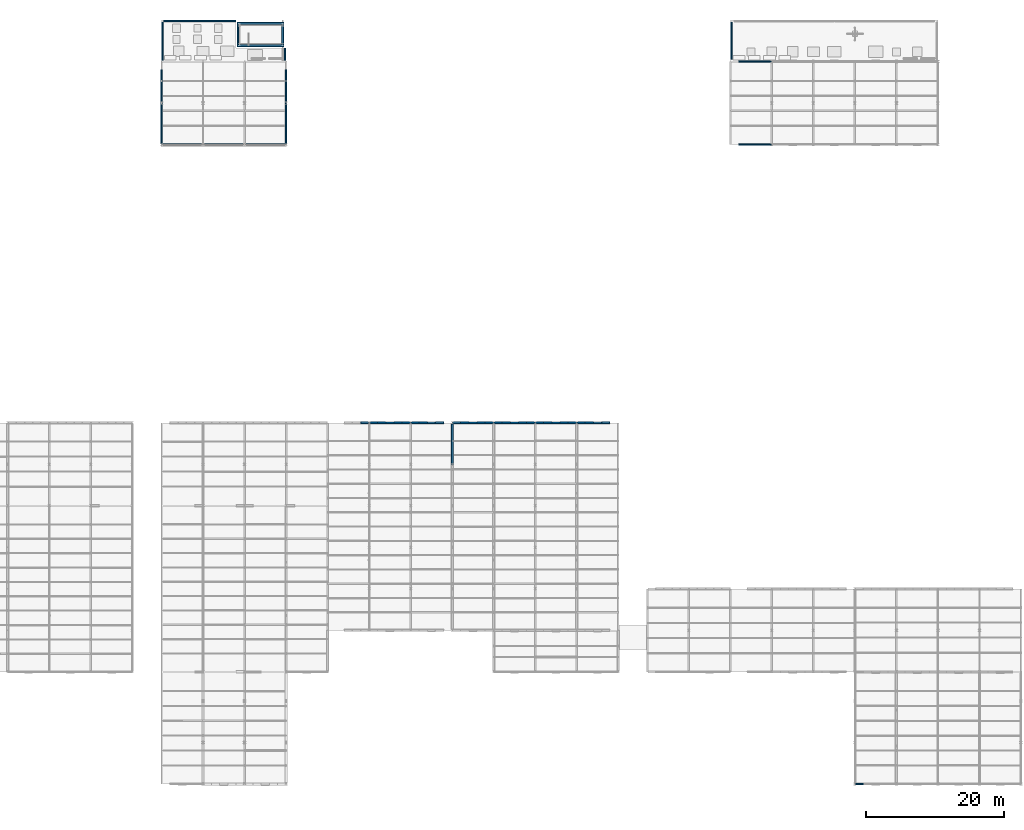
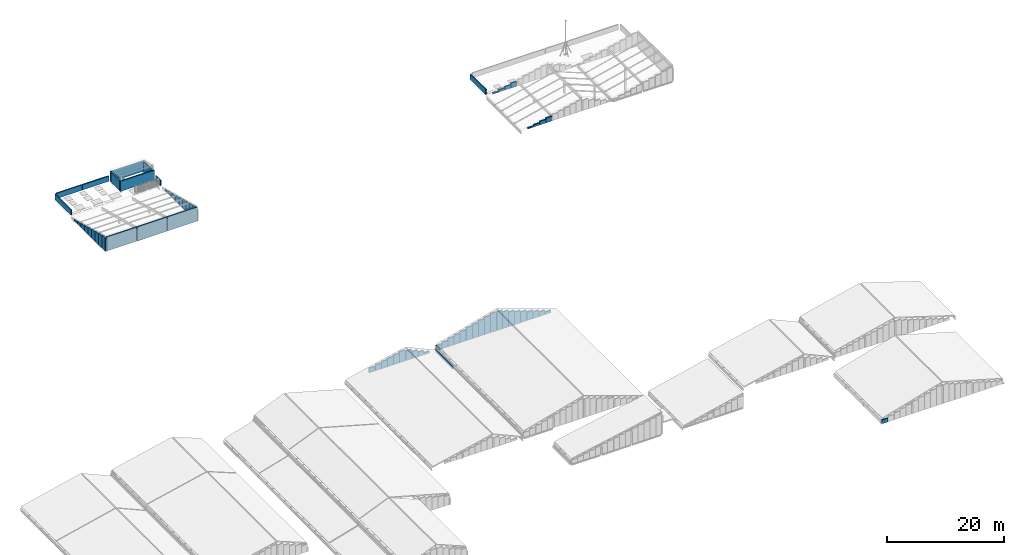
# One storey, part 65 of 74: 69 walls.
"""IFC4 building model written with IfcOpenShell, lengths in metres."""

from ifc_helpers import new_model, si_unit, direction, frame, frame_2d, origin, place, context, subcontext, project, spatial, rectangle, extrude, material, layer, layer_set, type_object, element, save


model = new_model("IFC4")

# Units and contexts
model_context = context("Model", 3, precision=1e-05, world=origin(), true_north=direction((0.0, 1.0)))
body_context = subcontext(model_context, "Body", "Model", "MODEL_VIEW")
ifc_project = project(units=[si_unit("LENGTHUNIT", "METRE"), si_unit("AREAUNIT", "SQUARE_METRE"), si_unit("VOLUMEUNIT", "CUBIC_METRE"), si_unit("PLANEANGLEUNIT", "RADIAN"), si_unit("MASSUNIT", "GRAM", prefix="KILO")], contexts=[model_context])

# Site, building, storey
site_placement = place(None, origin())
site = spatial("IfcSite", under=ifc_project, at=site_placement, CompositionType="ELEMENT")
building_placement = place(site_placement, origin())
building = spatial("IfcBuilding", under=site, at=building_placement, Name="Siltcreek Boulevard Central Fire Station", CompositionType="ELEMENT")
storey_placement = place(building_placement, frame((0.0, 0.0, 25.199951171875)))
storey = spatial("IfcBuildingStorey", under=building, at=storey_placement, Name="RF", CompositionType="ELEMENT", Elevation=25.199951171875)

# Walls
ifc_material_1 = material(Name="Western Red Cedar insulated gable wall", Category="wood")
ifc_layer_1 = layer(ifc_material_1, 0.264892578125, Name="Western Red Cedar insulated gable wall")
ifc_layer_set_1 = layer_set([ifc_layer_1], Name="Western Red Cedar insulated gable wall")
wall_type_1 = type_object("IfcWallType", Name="EW_CEDAR265", PredefinedType="STANDARD", material=ifc_layer_set_1)
wall_1_placement = place(storey_placement, frame((71.955078125, 54.0, -11.199951171875), z_axis=(0.0, 0.0, 1.0), x_axis=(-1.0, 0.0, 0.0)))
element("IfcWall", 1, at=wall_1_placement, inside=storey, type_object=wall_type_1, Name="Roof gable timber-lined enclosure wall RF-H5W-0070", PredefinedType="STANDARD", context=body_context, shape_type="SweptSolid", body=[
    extrude(rectangle(XDim=1.18212890625, YDim=0.264892578125, at=frame_2d((0.591064453125, 0.0))), origin(), (0.0, 0.0, 1.0), 0.957763671875),
])
wall_2_placement = place(storey_placement, frame((73.22705078125, 54.0, -11.199951171875), z_axis=(0.0, 0.0, 1.0), x_axis=(-1.0, 0.0, 0.0)))
element("IfcWall", 2, at=wall_2_placement, inside=storey, type_object=wall_type_1, Name="Roof gable timber-lined enclosure wall RF-H5W-0071", PredefinedType="STANDARD", context=body_context, shape_type="SweptSolid", body=[
    extrude(rectangle(XDim=1.18212890625, YDim=0.264892578125, at=frame_2d((0.591064453125, 0.0))), origin(), (0.0, 0.0, 1.0), 1.243896484375),
])
wall_3_placement = place(storey_placement, frame((74.408935546875, 54.0, -11.199951171875), z_axis=(0.0, 0.0, 1.0), x_axis=(-1.0, 0.0, 0.0)))
element("IfcWall", 3, at=wall_3_placement, inside=storey, type_object=wall_type_1, Name="Roof gable timber-lined enclosure wall RF-H5W-0072", PredefinedType="STANDARD", context=body_context, shape_type="SweptSolid", body=[
    extrude(rectangle(XDim=1.181884765625, YDim=0.264892578125, at=frame_2d((0.5908203125, 0.0))), origin(), (0.0, 0.0, 1.0), 1.509765625),
])
wall_4_placement = place(storey_placement, frame((75.591064453125, 54.0, -11.199951171875), z_axis=(0.0, 0.0, 1.0), x_axis=(-1.0, 0.0, 0.0)))
element("IfcWall", 4, at=wall_4_placement, inside=storey, type_object=wall_type_1, Name="Roof gable timber-lined enclosure wall RF-H5W-0073", PredefinedType="STANDARD", context=body_context, shape_type="SweptSolid", body=[
    extrude(rectangle(XDim=1.18212890625, YDim=0.264892578125, at=frame_2d((0.591064453125, 0.0))), origin(), (0.0, 0.0, 1.0), 1.77587890625),
])
wall_5_placement = place(storey_placement, frame((76.77294921875, 54.0, -11.199951171875), z_axis=(0.0, 0.0, 1.0), x_axis=(-1.0, 0.0, 0.0)))
element("IfcWall", 5, at=wall_5_placement, inside=storey, type_object=wall_type_1, Name="Roof gable timber-lined enclosure wall RF-H5W-0074", PredefinedType="STANDARD", context=body_context, shape_type="SweptSolid", body=[
    extrude(rectangle(XDim=1.181884765625, YDim=0.264892578125, at=frame_2d((0.5908203125, 0.0))), origin(), (0.0, 0.0, 1.0), 2.041748046875),
])
wall_6_placement = place(storey_placement, frame((77.955078125, 54.0, -11.199951171875), z_axis=(0.0, 0.0, 1.0), x_axis=(-1.0, 0.0, 0.0)))
element("IfcWall", 6, at=wall_6_placement, inside=storey, type_object=wall_type_1, Name="Roof gable timber-lined enclosure wall RF-H5W-0075", PredefinedType="STANDARD", context=body_context, shape_type="SweptSolid", body=[
    extrude(rectangle(XDim=1.18212890625, YDim=0.264892578125, at=frame_2d((0.591064453125, 0.0))), origin(), (0.0, 0.0, 1.0), 2.3076171875),
])
wall_7_placement = place(storey_placement, frame((79.22705078125, 54.0, -11.199951171875), z_axis=(0.0, 0.0, 1.0), x_axis=(-1.0, 0.0, 0.0)))
element("IfcWall", 7, at=wall_7_placement, inside=storey, type_object=wall_type_1, Name="Roof gable timber-lined enclosure wall RF-H5E-0080", PredefinedType="STANDARD", context=body_context, shape_type="SweptSolid", body=[
    extrude(rectangle(XDim=1.18212890625, YDim=0.264892578125, at=frame_2d((0.591064453125, 0.0))), origin(), (0.0, 0.0, 1.0), 2.013671875),
])
wall_8_placement = place(storey_placement, frame((80.408935546875, 54.0, -11.199951171875), z_axis=(0.0, 0.0, 1.0), x_axis=(-1.0, 0.0, 0.0)))
element("IfcWall", 8, at=wall_8_placement, inside=storey, type_object=wall_type_1, Name="Roof gable timber-lined enclosure wall RF-H5E-0081", PredefinedType="STANDARD", context=body_context, shape_type="SweptSolid", body=[
    extrude(rectangle(XDim=1.181884765625, YDim=0.264892578125, at=frame_2d((0.5908203125, 0.0))), origin(), (0.0, 0.0, 1.0), 1.481689453125),
])
wall_9_placement = place(storey_placement, frame((81.591064453125, 54.0, -11.199951171875), z_axis=(0.0, 0.0, 1.0), x_axis=(-1.0, 0.0, 0.0)))
element("IfcWall", 9, at=wall_9_placement, inside=storey, type_object=wall_type_1, Name="Roof gable timber-lined enclosure wall RF-H5E-0082", PredefinedType="STANDARD", context=body_context, shape_type="SweptSolid", body=[
    extrude(rectangle(XDim=1.18212890625, YDim=0.264892578125, at=frame_2d((0.591064453125, 0.0))), origin(), (0.0, 0.0, 1.0), 0.949951171875),
])
wall_10_placement = place(storey_placement, frame((82.77294921875, 54.0, -11.199951171875), z_axis=(0.0, 0.0, 1.0), x_axis=(-1.0, 0.0, 0.0)))
element("IfcWall", 10, at=wall_10_placement, inside=storey, type_object=wall_type_1, Name="Roof gable timber-lined enclosure wall RF-H5E-0083", PredefinedType="STANDARD", context=body_context, shape_type="SweptSolid", body=[
    extrude(rectangle(XDim=1.181884765625, YDim=0.264892578125, at=frame_2d((0.5908203125, 0.0))), origin(), (0.0, 0.0, 1.0), 0.41796875),
])
wall_11_placement = place(storey_placement, frame((85.22705078125, 54.0, -11.199951171875), z_axis=(0.0, 0.0, 1.0), x_axis=(-1.0, 0.0, 0.0)))
element("IfcWall", 11, at=wall_11_placement, inside=storey, type_object=wall_type_1, Name="Roof gable timber-lined enclosure wall RF-H6W-0094", PredefinedType="STANDARD", context=body_context, shape_type="SweptSolid", body=[
    extrude(rectangle(XDim=1.18212890625, YDim=0.264892578125, at=frame_2d((0.591064453125, 0.0))), origin(), (0.0, 0.0, 1.0), 1.043212890625),
])
wall_12_placement = place(storey_placement, frame((86.408935546875, 54.0, -11.199951171875), z_axis=(0.0, 0.0, 1.0), x_axis=(-1.0, 0.0, 0.0)))
element("IfcWall", 12, at=wall_12_placement, inside=storey, type_object=wall_type_1, Name="Roof gable timber-lined enclosure wall RF-H6W-0095", PredefinedType="STANDARD", context=body_context, shape_type="SweptSolid", body=[
    extrude(rectangle(XDim=1.181884765625, YDim=0.264892578125, at=frame_2d((0.5908203125, 0.0))), origin(), (0.0, 0.0, 1.0), 1.3681640625),
])
wall_13_placement = place(storey_placement, frame((87.591064453125, 54.0, -11.199951171875), z_axis=(0.0, 0.0, 1.0), x_axis=(-1.0, 0.0, 0.0)))
element("IfcWall", 13, at=wall_13_placement, inside=storey, type_object=wall_type_1, Name="Roof gable timber-lined enclosure wall RF-H6W-0096", PredefinedType="STANDARD", context=body_context, shape_type="SweptSolid", body=[
    extrude(rectangle(XDim=1.18212890625, YDim=0.264892578125, at=frame_2d((0.591064453125, 0.0))), origin(), (0.0, 0.0, 1.0), 1.693115234375),
])
wall_14_placement = place(storey_placement, frame((88.77294921875, 54.0, -11.199951171875), z_axis=(0.0, 0.0, 1.0), x_axis=(-1.0, 0.0, 0.0)))
element("IfcWall", 14, at=wall_14_placement, inside=storey, type_object=wall_type_1, Name="Roof gable timber-lined enclosure wall RF-H6W-0097", PredefinedType="STANDARD", context=body_context, shape_type="SweptSolid", body=[
    extrude(rectangle(XDim=1.181884765625, YDim=0.264892578125, at=frame_2d((0.5908203125, 0.0))), origin(), (0.0, 0.0, 1.0), 2.018310546875),
])
wall_15_placement = place(storey_placement, frame((89.955078125, 54.0, -11.199951171875), z_axis=(0.0, 0.0, 1.0), x_axis=(-1.0, 0.0, 0.0)))
element("IfcWall", 15, at=wall_15_placement, inside=storey, type_object=wall_type_1, Name="Roof gable timber-lined enclosure wall RF-H6W-0098", PredefinedType="STANDARD", context=body_context, shape_type="SweptSolid", body=[
    extrude(rectangle(XDim=1.18212890625, YDim=0.264892578125, at=frame_2d((0.591064453125, 0.0))), origin(), (0.0, 0.0, 1.0), 2.34326171875),
])
wall_16_placement = place(storey_placement, frame((91.22705078125, 54.0, -11.199951171875), z_axis=(0.0, 0.0, 1.0), x_axis=(-1.0, 0.0, 0.0)))
element("IfcWall", 16, at=wall_16_placement, inside=storey, type_object=wall_type_1, Name="Roof gable timber-lined enclosure wall RF-H6W-0099", PredefinedType="STANDARD", context=body_context, shape_type="SweptSolid", body=[
    extrude(rectangle(XDim=1.18212890625, YDim=0.264892578125, at=frame_2d((0.591064453125, 0.0))), origin(), (0.0, 0.0, 1.0), 2.693115234375),
])
wall_17_placement = place(storey_placement, frame((92.408935546875, 54.0, -11.199951171875), z_axis=(0.0, 0.0, 1.0), x_axis=(-1.0, 0.0, 0.0)))
element("IfcWall", 17, at=wall_17_placement, inside=storey, type_object=wall_type_1, Name="Roof gable timber-lined enclosure wall RF-H6W-0100", PredefinedType="STANDARD", context=body_context, shape_type="SweptSolid", body=[
    extrude(rectangle(XDim=1.181884765625, YDim=0.264892578125, at=frame_2d((0.5908203125, 0.0))), origin(), (0.0, 0.0, 1.0), 3.01806640625),
])
wall_18_placement = place(storey_placement, frame((93.591064453125, 54.0, -11.199951171875), z_axis=(0.0, 0.0, 1.0), x_axis=(-1.0, 0.0, 0.0)))
element("IfcWall", 18, at=wall_18_placement, inside=storey, type_object=wall_type_1, Name="Roof gable timber-lined enclosure wall RF-H6W-0101", PredefinedType="STANDARD", context=body_context, shape_type="SweptSolid", body=[
    extrude(rectangle(XDim=1.18212890625, YDim=0.264892578125, at=frame_2d((0.591064453125, 0.0))), origin(), (0.0, 0.0, 1.0), 3.34326171875),
])
wall_19_placement = place(storey_placement, frame((94.77294921875, 54.0, -11.199951171875), z_axis=(0.0, 0.0, 1.0), x_axis=(-1.0, 0.0, 0.0)))
element("IfcWall", 19, at=wall_19_placement, inside=storey, type_object=wall_type_1, Name="Roof gable timber-lined enclosure wall RF-H6W-0102", PredefinedType="STANDARD", context=body_context, shape_type="SweptSolid", body=[
    extrude(rectangle(XDim=1.181884765625, YDim=0.264892578125, at=frame_2d((0.5908203125, 0.0))), origin(), (0.0, 0.0, 1.0), 3.668212890625),
])
wall_20_placement = place(storey_placement, frame((95.955078125, 54.0, -11.199951171875), z_axis=(0.0, 0.0, 1.0), x_axis=(-1.0, 0.0, 0.0)))
element("IfcWall", 20, at=wall_20_placement, inside=storey, type_object=wall_type_1, Name="Roof gable timber-lined enclosure wall RF-H6W-0103", PredefinedType="STANDARD", context=body_context, shape_type="SweptSolid", body=[
    extrude(rectangle(XDim=1.18212890625, YDim=0.264892578125, at=frame_2d((0.591064453125, 0.0))), origin(), (0.0, 0.0, 1.0), 3.993408203125),
])
wall_21_placement = place(storey_placement, frame((84.0, 53.867431640625, -11.3984375), z_axis=(0.0, 0.0, 1.0), x_axis=(0.0, -1.0, 0.0)))
element("IfcWall", 21, at=wall_21_placement, inside=storey, type_object=wall_type_1, Name="Roof step cheek enclosure wall RF-H6W-0108", PredefinedType="STANDARD", context=body_context, shape_type="SweptSolid", body=[
    extrude(rectangle(XDim=5.867431640625, YDim=0.264892578125, at=frame_2d((2.93359375, 0.0))), origin(), (0.0, 0.0, 1.0), 0.61962890625),
])
wall_22_placement = place(storey_placement, frame((97.22705078125, 54.0, -11.199951171875), z_axis=(0.0, 0.0, 1.0), x_axis=(-1.0, 0.0, 0.0)))
element("IfcWall", 22, at=wall_22_placement, inside=storey, type_object=wall_type_1, Name="Roof gable timber-lined enclosure wall RF-H6E-0118", PredefinedType="STANDARD", context=body_context, shape_type="SweptSolid", body=[
    extrude(rectangle(XDim=1.18212890625, YDim=0.264892578125, at=frame_2d((0.591064453125, 0.0))), origin(), (0.0, 0.0, 1.0), 3.895751953125),
])
wall_23_placement = place(storey_placement, frame((98.408935546875, 54.0, -11.199951171875), z_axis=(0.0, 0.0, 1.0), x_axis=(-1.0, 0.0, 0.0)))
element("IfcWall", 23, at=wall_23_placement, inside=storey, type_object=wall_type_1, Name="Roof gable timber-lined enclosure wall RF-H6E-0119", PredefinedType="STANDARD", context=body_context, shape_type="SweptSolid", body=[
    extrude(rectangle(XDim=1.181884765625, YDim=0.264892578125, at=frame_2d((0.5908203125, 0.0))), origin(), (0.0, 0.0, 1.0), 3.48193359375),
])
wall_24_placement = place(storey_placement, frame((99.591064453125, 54.0, -11.199951171875), z_axis=(0.0, 0.0, 1.0), x_axis=(-1.0, 0.0, 0.0)))
element("IfcWall", 24, at=wall_24_placement, inside=storey, type_object=wall_type_1, Name="Roof gable timber-lined enclosure wall RF-H6E-0120", PredefinedType="STANDARD", context=body_context, shape_type="SweptSolid", body=[
    extrude(rectangle(XDim=1.18212890625, YDim=0.264892578125, at=frame_2d((0.591064453125, 0.0))), origin(), (0.0, 0.0, 1.0), 3.068359375),
])
wall_25_placement = place(storey_placement, frame((100.77294921875, 54.0, -11.199951171875), z_axis=(0.0, 0.0, 1.0), x_axis=(-1.0, 0.0, 0.0)))
element("IfcWall", 25, at=wall_25_placement, inside=storey, type_object=wall_type_1, Name="Roof gable timber-lined enclosure wall RF-H6E-0121", PredefinedType="STANDARD", context=body_context, shape_type="SweptSolid", body=[
    extrude(rectangle(XDim=1.181884765625, YDim=0.264892578125, at=frame_2d((0.5908203125, 0.0))), origin(), (0.0, 0.0, 1.0), 2.654541015625),
])
wall_26_placement = place(storey_placement, frame((101.955078125, 54.0, -11.199951171875), z_axis=(0.0, 0.0, 1.0), x_axis=(-1.0, 0.0, 0.0)))
element("IfcWall", 26, at=wall_26_placement, inside=storey, type_object=wall_type_1, Name="Roof gable timber-lined enclosure wall RF-H6E-0122", PredefinedType="STANDARD", context=body_context, shape_type="SweptSolid", body=[
    extrude(rectangle(XDim=1.18212890625, YDim=0.264892578125, at=frame_2d((0.591064453125, 0.0))), origin(), (0.0, 0.0, 1.0), 2.240966796875),
])
wall_27_placement = place(storey_placement, frame((103.22705078125, 54.0, -11.199951171875), z_axis=(0.0, 0.0, 1.0), x_axis=(-1.0, 0.0, 0.0)))
element("IfcWall", 27, at=wall_27_placement, inside=storey, type_object=wall_type_1, Name="Roof gable timber-lined enclosure wall RF-H6E-0123", PredefinedType="STANDARD", context=body_context, shape_type="SweptSolid", body=[
    extrude(rectangle(XDim=1.18212890625, YDim=0.264892578125, at=frame_2d((0.591064453125, 0.0))), origin(), (0.0, 0.0, 1.0), 1.795654296875),
])
wall_28_placement = place(storey_placement, frame((104.408935546875, 54.0, -11.199951171875), z_axis=(0.0, 0.0, 1.0), x_axis=(-1.0, 0.0, 0.0)))
element("IfcWall", 28, at=wall_28_placement, inside=storey, type_object=wall_type_1, Name="Roof gable timber-lined enclosure wall RF-H6E-0124", PredefinedType="STANDARD", context=body_context, shape_type="SweptSolid", body=[
    extrude(rectangle(XDim=1.181884765625, YDim=0.264892578125, at=frame_2d((0.5908203125, 0.0))), origin(), (0.0, 0.0, 1.0), 1.382080078125),
])
wall_29_placement = place(storey_placement, frame((105.591064453125, 54.0, -11.199951171875), z_axis=(0.0, 0.0, 1.0), x_axis=(-1.0, 0.0, 0.0)))
element("IfcWall", 29, at=wall_29_placement, inside=storey, type_object=wall_type_1, Name="Roof gable timber-lined enclosure wall RF-H6E-0125", PredefinedType="STANDARD", context=body_context, shape_type="SweptSolid", body=[
    extrude(rectangle(XDim=1.18212890625, YDim=0.264892578125, at=frame_2d((0.591064453125, 0.0))), origin(), (0.0, 0.0, 1.0), 0.96826171875),
])
wall_30_placement = place(storey_placement, frame((106.77294921875, 54.0, -11.199951171875), z_axis=(0.0, 0.0, 1.0), x_axis=(-1.0, 0.0, 0.0)))
element("IfcWall", 30, at=wall_30_placement, inside=storey, type_object=wall_type_1, Name="Roof gable timber-lined enclosure wall RF-H6E-0126", PredefinedType="STANDARD", context=body_context, shape_type="SweptSolid", body=[
    extrude(rectangle(XDim=1.181884765625, YDim=0.264892578125, at=frame_2d((0.5908203125, 0.0))), origin(), (0.0, 0.0, 1.0), 0.5546875),
])
for number, where, z_axis, x_axis, name in (
    (31, (42.044921875, 94.199951171875, 0.0), (0.0, 0.0, 1.0), (1.0, 0.0, 0.0), "Roof gable timber-lined enclosure wall RF-V3-MAIN-0144"),
    (32, (48.044921875, 94.199951171875, 0.0), (0.0, 0.0, 1.0), (1.0, 0.0, 0.0), "Roof gable timber-lined enclosure wall RF-V3-MAIN-0145"),
    (33, (54.044921875, 94.199951171875, 0.0), (0.0, 0.0, 1.0), (1.0, 0.0, 0.0), "Roof gable timber-lined enclosure wall RF-V3-MAIN-0146"),
):
    element("IfcWall", number, at=place(storey_placement, frame(where, z_axis=z_axis, x_axis=x_axis)), inside=storey, type_object=wall_type_1, Name=name, PredefinedType="STANDARD", context=body_context, shape_type="SweptSolid", body=[
        extrude(rectangle(XDim=5.91015625, YDim=0.264892578125, at=frame_2d((2.955078125, 0.0))), origin(), (0.0, 0.0, 1.0), 2.9521484375),
    ])
wall_31_placement = place(storey_placement, frame((42.0, 95.506103515625, -0.219970703125), z_axis=(0.0, 0.0, 1.0), x_axis=(0.0, -1.0, 0.0)))
element("IfcWall", 34, at=wall_31_placement, inside=storey, type_object=wall_type_1, Name="Roof step cheek enclosure wall RF-V3-MAIN-0147", PredefinedType="STANDARD", context=body_context, shape_type="SweptSolid", body=[
    extrude(rectangle(XDim=1.173583984375, YDim=0.264892578125, at=frame_2d((0.5869140625, 0.0))), origin(), (0.0, 0.0, 1.0), 2.828125),
])
wall_32_placement = place(storey_placement, frame((42.0, 96.679443359375, -0.219970703125), z_axis=(0.0, 0.0, 1.0), x_axis=(0.0, -1.0, 0.0)))
element("IfcWall", 35, at=wall_32_placement, inside=storey, type_object=wall_type_1, Name="Roof step cheek enclosure wall RF-V3-MAIN-0148", PredefinedType="STANDARD", context=body_context, shape_type="SweptSolid", body=[
    extrude(rectangle(XDim=1.17333984375, YDim=0.264892578125, at=frame_2d((0.586669921875, 0.0))), origin(), (0.0, 0.0, 1.0), 2.51904296875),
])
wall_33_placement = place(storey_placement, frame((42.0, 97.85302734375, -0.219970703125), z_axis=(0.0, 0.0, 1.0), x_axis=(0.0, -1.0, 0.0)))
element("IfcWall", 36, at=wall_33_placement, inside=storey, type_object=wall_type_1, Name="Roof step cheek enclosure wall RF-V3-MAIN-0149", PredefinedType="STANDARD", context=body_context, shape_type="SweptSolid", body=[
    extrude(rectangle(XDim=1.173583984375, YDim=0.264892578125, at=frame_2d((0.5869140625, 0.0))), origin(), (0.0, 0.0, 1.0), 2.2099609375),
])
wall_34_placement = place(storey_placement, frame((42.0, 99.026611328125, -0.219970703125), z_axis=(0.0, 0.0, 1.0), x_axis=(0.0, -1.0, 0.0)))
element("IfcWall", 37, at=wall_34_placement, inside=storey, type_object=wall_type_1, Name="Roof step cheek enclosure wall RF-V3-MAIN-0150", PredefinedType="STANDARD", context=body_context, shape_type="SweptSolid", body=[
    extrude(rectangle(XDim=1.173583984375, YDim=0.264892578125, at=frame_2d((0.5869140625, 0.0))), origin(), (0.0, 0.0, 1.0), 1.900634765625),
])
wall_35_placement = place(storey_placement, frame((42.0, 100.199951171875, -0.219970703125), z_axis=(0.0, 0.0, 1.0), x_axis=(0.0, -1.0, 0.0)))
element("IfcWall", 38, at=wall_35_placement, inside=storey, type_object=wall_type_1, Name="Roof step cheek enclosure wall RF-V3-MAIN-0151", PredefinedType="STANDARD", context=body_context, shape_type="SweptSolid", body=[
    extrude(rectangle(XDim=1.17333984375, YDim=0.264892578125, at=frame_2d((0.586669921875, 0.0))), origin(), (0.0, 0.0, 1.0), 1.591552734375),
])
wall_36_placement = place(storey_placement, frame((42.0, 101.39990234375, -0.219970703125), z_axis=(0.0, 0.0, 1.0), x_axis=(0.0, -1.0, 0.0)))
element("IfcWall", 39, at=wall_36_placement, inside=storey, type_object=wall_type_1, Name="Roof step cheek enclosure wall RF-V3-MAIN-0152", PredefinedType="STANDARD", context=body_context, shape_type="SweptSolid", body=[
    extrude(rectangle(XDim=1.199951171875, YDim=0.264892578125, at=frame_2d((0.60009765625, 0.0))), origin(), (0.0, 0.0, 1.0), 1.275634765625),
])
wall_37_placement = place(storey_placement, frame((42.0, 102.60009765625, -0.219970703125), z_axis=(0.0, 0.0, 1.0), x_axis=(0.0, -1.0, 0.0)))
element("IfcWall", 40, at=wall_37_placement, inside=storey, type_object=wall_type_1, Name="Roof step cheek enclosure wall RF-V3-MAIN-0153", PredefinedType="STANDARD", context=body_context, shape_type="SweptSolid", body=[
    extrude(rectangle(XDim=1.2001953125, YDim=0.264892578125, at=frame_2d((0.60009765625, 0.0))), origin(), (0.0, 0.0, 1.0), 0.95947265625),
])
wall_38_placement = place(storey_placement, frame((42.0, 103.800048828125, -0.219970703125), z_axis=(0.0, 0.0, 1.0), x_axis=(0.0, -1.0, 0.0)))
element("IfcWall", 41, at=wall_38_placement, inside=storey, type_object=wall_type_1, Name="Roof step cheek enclosure wall RF-V3-MAIN-0154", PredefinedType="STANDARD", context=body_context, shape_type="SweptSolid", body=[
    extrude(rectangle(XDim=1.199951171875, YDim=0.264892578125, at=frame_2d((0.60009765625, 0.0))), origin(), (0.0, 0.0, 1.0), 0.643310546875),
])
wall_39_placement = place(storey_placement, frame((42.0, 105.0, -0.219970703125), z_axis=(0.0, 0.0, 1.0), x_axis=(0.0, -1.0, 0.0)))
element("IfcWall", 42, at=wall_39_placement, inside=storey, type_object=wall_type_1, Name="Roof step cheek enclosure wall RF-V3-MAIN-0155", PredefinedType="STANDARD", context=body_context, shape_type="SweptSolid", body=[
    extrude(rectangle(XDim=1.199951171875, YDim=0.264892578125, at=frame_2d((0.60009765625, 0.0))), origin(), (0.0, 0.0, 1.0), 0.3271484375),
])
wall_40_placement = place(storey_placement, frame((60.0, 94.33251953125, -0.219970703125), z_axis=(0.0, 0.0, 1.0), x_axis=(0.0, 1.0, 0.0)))
element("IfcWall", 43, at=wall_40_placement, inside=storey, type_object=wall_type_1, Name="Roof step cheek enclosure wall RF-V3-MAIN-0156", PredefinedType="STANDARD", context=body_context, shape_type="SweptSolid", body=[
    extrude(rectangle(XDim=1.173583984375, YDim=0.264892578125, at=frame_2d((0.5869140625, 0.0))), origin(), (0.0, 0.0, 1.0), 2.828125),
])
wall_41_placement = place(storey_placement, frame((60.0, 95.506103515625, -0.219970703125), z_axis=(0.0, 0.0, 1.0), x_axis=(0.0, 1.0, 0.0)))
element("IfcWall", 44, at=wall_41_placement, inside=storey, type_object=wall_type_1, Name="Roof step cheek enclosure wall RF-V3-MAIN-0157", PredefinedType="STANDARD", context=body_context, shape_type="SweptSolid", body=[
    extrude(rectangle(XDim=1.17333984375, YDim=0.264892578125, at=frame_2d((0.586669921875, 0.0))), origin(), (0.0, 0.0, 1.0), 2.51904296875),
])
wall_42_placement = place(storey_placement, frame((60.0, 96.679443359375, -0.219970703125), z_axis=(0.0, 0.0, 1.0), x_axis=(0.0, 1.0, 0.0)))
element("IfcWall", 45, at=wall_42_placement, inside=storey, type_object=wall_type_1, Name="Roof step cheek enclosure wall RF-V3-MAIN-0158", PredefinedType="STANDARD", context=body_context, shape_type="SweptSolid", body=[
    extrude(rectangle(XDim=1.173583984375, YDim=0.264892578125, at=frame_2d((0.5869140625, 0.0))), origin(), (0.0, 0.0, 1.0), 2.2099609375),
])
wall_43_placement = place(storey_placement, frame((60.0, 97.85302734375, -0.219970703125), z_axis=(0.0, 0.0, 1.0), x_axis=(0.0, 1.0, 0.0)))
element("IfcWall", 46, at=wall_43_placement, inside=storey, type_object=wall_type_1, Name="Roof step cheek enclosure wall RF-V3-MAIN-0159", PredefinedType="STANDARD", context=body_context, shape_type="SweptSolid", body=[
    extrude(rectangle(XDim=1.173583984375, YDim=0.264892578125, at=frame_2d((0.5869140625, 0.0))), origin(), (0.0, 0.0, 1.0), 1.900634765625),
])
wall_44_placement = place(storey_placement, frame((60.0, 99.026611328125, -0.219970703125), z_axis=(0.0, 0.0, 1.0), x_axis=(0.0, 1.0, 0.0)))
element("IfcWall", 47, at=wall_44_placement, inside=storey, type_object=wall_type_1, Name="Roof step cheek enclosure wall RF-V3-MAIN-0160", PredefinedType="STANDARD", context=body_context, shape_type="SweptSolid", body=[
    extrude(rectangle(XDim=1.17333984375, YDim=0.264892578125, at=frame_2d((0.586669921875, 0.0))), origin(), (0.0, 0.0, 1.0), 1.591552734375),
])
wall_45_placement = place(storey_placement, frame((60.0, 100.199951171875, -0.219970703125), z_axis=(0.0, 0.0, 1.0), x_axis=(0.0, 1.0, 0.0)))
element("IfcWall", 48, at=wall_45_placement, inside=storey, type_object=wall_type_1, Name="Roof step cheek enclosure wall RF-V3-MAIN-0161", PredefinedType="STANDARD", context=body_context, shape_type="SweptSolid", body=[
    extrude(rectangle(XDim=1.199951171875, YDim=0.264892578125, at=frame_2d((0.60009765625, 0.0))), origin(), (0.0, 0.0, 1.0), 1.275634765625),
])
wall_46_placement = place(storey_placement, frame((60.0, 101.39990234375, -0.219970703125), z_axis=(0.0, 0.0, 1.0), x_axis=(0.0, 1.0, 0.0)))
element("IfcWall", 49, at=wall_46_placement, inside=storey, type_object=wall_type_1, Name="Roof step cheek enclosure wall RF-V3-MAIN-0162", PredefinedType="STANDARD", context=body_context, shape_type="SweptSolid", body=[
    extrude(rectangle(XDim=1.2001953125, YDim=0.264892578125, at=frame_2d((0.60009765625, 0.0))), origin(), (0.0, 0.0, 1.0), 0.95947265625),
])
wall_47_placement = place(storey_placement, frame((60.0, 102.60009765625, -0.219970703125), z_axis=(0.0, 0.0, 1.0), x_axis=(0.0, 1.0, 0.0)))
element("IfcWall", 50, at=wall_47_placement, inside=storey, type_object=wall_type_1, Name="Roof step cheek enclosure wall RF-V3-MAIN-0163", PredefinedType="STANDARD", context=body_context, shape_type="SweptSolid", body=[
    extrude(rectangle(XDim=1.199951171875, YDim=0.264892578125, at=frame_2d((0.60009765625, 0.0))), origin(), (0.0, 0.0, 1.0), 0.643310546875),
])
wall_48_placement = place(storey_placement, frame((60.0, 103.800048828125, -0.219970703125), z_axis=(0.0, 0.0, 1.0), x_axis=(0.0, 1.0, 0.0)))
element("IfcWall", 51, at=wall_48_placement, inside=storey, type_object=wall_type_1, Name="Roof step cheek enclosure wall RF-V3-MAIN-0164", PredefinedType="STANDARD", context=body_context, shape_type="SweptSolid", body=[
    extrude(rectangle(XDim=1.199951171875, YDim=0.264892578125, at=frame_2d((0.60009765625, 0.0))), origin(), (0.0, 0.0, 1.0), 0.3271484375),
])
wall_49_placement = place(storey_placement, frame((125.427001953125, 94.199951171875, -3.599853515625), z_axis=(0.0, 0.0, 1.0), x_axis=(1.0, 0.0, 0.0)))
element("IfcWall", 52, at=wall_49_placement, inside=storey, type_object=wall_type_1, Name="Roof gable timber-lined enclosure wall RF-V5W-0235", PredefinedType="STANDARD", context=body_context, shape_type="SweptSolid", body=[
    extrude(rectangle(XDim=1.181884765625, YDim=0.264892578125, at=frame_2d((0.5908203125, 0.0))), origin(), (0.0, 0.0, 1.0), 0.16943359375),
])
wall_50_placement = place(storey_placement, frame((126.60888671875, 94.199951171875, -3.599853515625), z_axis=(0.0, 0.0, 1.0), x_axis=(1.0, 0.0, 0.0)))
element("IfcWall", 53, at=wall_50_placement, inside=storey, type_object=wall_type_1, Name="Roof gable timber-lined enclosure wall RF-V5W-0236", PredefinedType="STANDARD", context=body_context, shape_type="SweptSolid", body=[
    extrude(rectangle(XDim=1.18212890625, YDim=0.264892578125, at=frame_2d((0.591064453125, 0.0))), origin(), (0.0, 0.0, 1.0), 0.4453125),
])
wall_51_placement = place(storey_placement, frame((127.791015625, 94.199951171875, -3.599853515625), z_axis=(0.0, 0.0, 1.0), x_axis=(1.0, 0.0, 0.0)))
element("IfcWall", 54, at=wall_51_placement, inside=storey, type_object=wall_type_1, Name="Roof gable timber-lined enclosure wall RF-V5W-0237", PredefinedType="STANDARD", context=body_context, shape_type="SweptSolid", body=[
    extrude(rectangle(XDim=1.181884765625, YDim=0.264892578125, at=frame_2d((0.5908203125, 0.0))), origin(), (0.0, 0.0, 1.0), 0.72119140625),
])
wall_52_placement = place(storey_placement, frame((128.972900390625, 94.199951171875, -3.599853515625), z_axis=(0.0, 0.0, 1.0), x_axis=(1.0, 0.0, 0.0)))
element("IfcWall", 55, at=wall_52_placement, inside=storey, type_object=wall_type_1, Name="Roof gable timber-lined enclosure wall RF-V5W-0238", PredefinedType="STANDARD", context=body_context, shape_type="SweptSolid", body=[
    extrude(rectangle(XDim=1.18212890625, YDim=0.264892578125, at=frame_2d((0.591064453125, 0.0))), origin(), (0.0, 0.0, 1.0), 0.996826171875),
])
wall_53_placement = place(storey_placement, frame((126.60888671875, 106.199951171875, -3.599853515625), z_axis=(0.0, 0.0, 1.0), x_axis=(-1.0, 0.0, 0.0)))
element("IfcWall", 56, at=wall_53_placement, inside=storey, type_object=wall_type_1, Name="Roof gable timber-lined enclosure wall RF-V5W-0244", PredefinedType="STANDARD", context=body_context, shape_type="SweptSolid", body=[
    extrude(rectangle(XDim=1.181884765625, YDim=0.264892578125, at=frame_2d((0.5908203125, 0.0))), origin(), (0.0, 0.0, 1.0), 0.16943359375),
])
wall_54_placement = place(storey_placement, frame((127.791015625, 106.199951171875, -3.599853515625), z_axis=(0.0, 0.0, 1.0), x_axis=(-1.0, 0.0, 0.0)))
element("IfcWall", 57, at=wall_54_placement, inside=storey, type_object=wall_type_1, Name="Roof gable timber-lined enclosure wall RF-V5W-0245", PredefinedType="STANDARD", context=body_context, shape_type="SweptSolid", body=[
    extrude(rectangle(XDim=1.18212890625, YDim=0.264892578125, at=frame_2d((0.591064453125, 0.0))), origin(), (0.0, 0.0, 1.0), 0.4453125),
])
wall_55_placement = place(storey_placement, frame((128.972900390625, 106.199951171875, -3.599853515625), z_axis=(0.0, 0.0, 1.0), x_axis=(-1.0, 0.0, 0.0)))
element("IfcWall", 58, at=wall_55_placement, inside=storey, type_object=wall_type_1, Name="Roof gable timber-lined enclosure wall RF-V5W-0246", PredefinedType="STANDARD", context=body_context, shape_type="SweptSolid", body=[
    extrude(rectangle(XDim=1.181884765625, YDim=0.264892578125, at=frame_2d((0.5908203125, 0.0))), origin(), (0.0, 0.0, 1.0), 0.72119140625),
])
wall_56_placement = place(storey_placement, frame((130.155029296875, 106.199951171875, -3.599853515625), z_axis=(0.0, 0.0, 1.0), x_axis=(-1.0, 0.0, 0.0)))
element("IfcWall", 59, at=wall_56_placement, inside=storey, type_object=wall_type_1, Name="Roof gable timber-lined enclosure wall RF-V5W-0247", PredefinedType="STANDARD", context=body_context, shape_type="SweptSolid", body=[
    extrude(rectangle(XDim=1.18212890625, YDim=0.264892578125, at=frame_2d((0.591064453125, 0.0))), origin(), (0.0, 0.0, 1.0), 0.996826171875),
])
wall_57_placement = place(storey_placement, frame((142.2451171875, 1.800048828125, -15.199951171875), z_axis=(0.0, 0.0, 1.0), x_axis=(1.0, 0.0, 0.0)))
element("IfcWall", 60, at=wall_57_placement, inside=storey, type_object=wall_type_1, Name="Roof gable timber-lined enclosure wall RF-H8W-TH-0327", PredefinedType="STANDARD", context=body_context, shape_type="SweptSolid", body=[
    extrude(rectangle(XDim=1.181884765625, YDim=0.264892578125, at=frame_2d((0.5908203125, 0.0))), origin(), (0.0, 0.0, 1.0), 0.792724609375),
])
for number, where, z_axis, x_axis, name in (
    (61, (52.93505859375, 108.467529296875, 0.0), (0.0, 0.0, 1.0), (1.0, 0.0, 0.0), "RF ST-V3-RF stair enclosure south fire wall"),
    (62, (59.6650390625, 111.732421875, 0.0), (0.0, 0.0, 1.0), (-1.0, 0.0, 0.0), "RF ST-V3-RF stair enclosure north fire wall"),
):
    element("IfcWall", number, at=place(storey_placement, frame(where, z_axis=z_axis, x_axis=x_axis)), inside=storey, type_object=wall_type_1, Name=name, PredefinedType="STANDARD", context=body_context, shape_type="SweptSolid", body=[
        extrude(rectangle(XDim=6.72998046875, YDim=0.264892578125, at=frame_2d((3.364990234375, 0.0))), origin(), (0.0, 0.0, 1.0), 2.110107421875),
    ])
for number, where, z_axis, x_axis, name in (
    (63, (53.0673828125, 111.60009765625, 0.0), (0.0, 0.0, 1.0), (0.0, -1.0, 0.0), "RF ST-V3-RF stair enclosure west fire wall"),
    (64, (59.532470703125, 108.60009765625, 0.0), (0.0, 0.0, 1.0), (0.0, 1.0, 0.0), "RF ST-V3-RF stair enclosure east fire wall"),
):
    element("IfcWall", number, at=place(storey_placement, frame(where, z_axis=z_axis, x_axis=x_axis)), inside=storey, type_object=wall_type_1, Name=name, PredefinedType="STANDARD", context=body_context, shape_type="SweptSolid", body=[
        extrude(rectangle(XDim=3.0, YDim=0.264892578125, at=frame_2d((1.5, 0.0))), origin(), (0.0, 0.0, 1.0), 2.110107421875),
    ])
ifc_material_2 = material(Name="Terracotta brick-coped parapet wall", Category="masonry")
ifc_layer_2 = layer(ifc_material_2, 0.215087890625, Name="Terracotta brick-coped parapet wall")
ifc_layer_set_2 = layer_set([ifc_layer_2], Name="Terracotta brick-coped parapet wall")
wall_type_2 = type_object("IfcWallType", Name="EW_PARAP215", PredefinedType="PARAPET", material=ifc_layer_set_2)
wall_58_placement = place(storey_placement, frame((42.300048828125, 112.080078125, 0.0), z_axis=(0.0, 0.0, 1.0), x_axis=(1.0, 0.0, 0.0)))
element("IfcWall", 65, at=wall_58_placement, inside=storey, type_object=wall_type_2, Name="Roof maintenance parapet wall V3S-N1", PredefinedType="PARAPET", context=body_context, shape_type="SweptSolid", body=[
    extrude(rectangle(XDim=5.14990234375, YDim=0.215087890625, at=frame_2d((2.574951171875, 0.0))), origin(), (0.0, 0.0, 1.0), 1.10009765625),
])
wall_59_placement = place(storey_placement, frame((42.14990234375, 106.39990234375, 0.0), z_axis=(0.0, 0.0, 1.0), x_axis=(0.0, 1.0, 0.0)))
element("IfcWall", 66, at=wall_59_placement, inside=storey, type_object=wall_type_2, Name="Roof curb side parapet wall V3W", PredefinedType="PARAPET", context=body_context, shape_type="SweptSolid", body=[
    extrude(rectangle(XDim=5.5, YDim=0.215087890625, at=frame_2d((2.75, 0.0))), origin(), (0.0, 0.0, 1.0), 1.10009765625),
])
wall_60_placement = place(storey_placement, frame((59.85009765625, 106.39990234375, 0.0), z_axis=(0.0, 0.0, 1.0), x_axis=(0.0, 1.0, 0.0)))
element("IfcWall", 67, at=wall_60_placement, inside=storey, type_object=wall_type_2, Name="Roof curb side parapet wall V3E", PredefinedType="PARAPET", context=body_context, shape_type="SweptSolid", body=[
    extrude(rectangle(XDim=1.7001953125, YDim=0.215087890625, at=frame_2d((0.85009765625, 0.0))), origin(), (0.0, 0.0, 1.0), 1.10009765625),
])
wall_61_placement = place(storey_placement, frame((124.35009765625, 106.5, -3.599853515625), z_axis=(0.0, 0.0, 1.0), x_axis=(0.0, 1.0, 0.0)))
element("IfcWall", 68, at=wall_61_placement, inside=storey, type_object=wall_type_2, Name="Roof curb side parapet wall V5W", PredefinedType="PARAPET", context=body_context, shape_type="SweptSolid", body=[
    extrude(rectangle(XDim=5.39990234375, YDim=0.215087890625, at=frame_2d((2.699951171875, 0.0))), origin(), (0.0, 0.0, 1.0), 1.099853515625),
])
ifc_material_3 = material(Name="Frey sage-green aluminum-coped parapet wall", Category="aluminium")
ifc_layer_3 = layer(ifc_material_3, 0.235107421875, Name="Frey sage-green aluminum-coped parapet wall")
ifc_layer_set_3 = layer_set([ifc_layer_3], Name="Frey sage-green aluminum-coped parapet wall")
wall_type_3 = type_object("IfcWallType", Name="EW_PARAP235", PredefinedType="PARAPET", material=ifc_layer_set_3)
wall_62_placement = place(storey_placement, frame((47.550048828125, 112.080078125, 0.0), z_axis=(0.0, 0.0, 1.0), x_axis=(1.0, 0.0, 0.0)))
element("IfcWall", 69, at=wall_62_placement, inside=storey, type_object=wall_type_3, Name="Roof maintenance parapet wall V3S-N2", PredefinedType="PARAPET", context=body_context, shape_type="SweptSolid", body=[
    extrude(rectangle(XDim=5.199951171875, YDim=0.235107421875, at=frame_2d((2.60009765625, 0.0))), origin(), (0.0, 0.0, 1.0), 1.10009765625),
])

save(model, "model.ifc")
